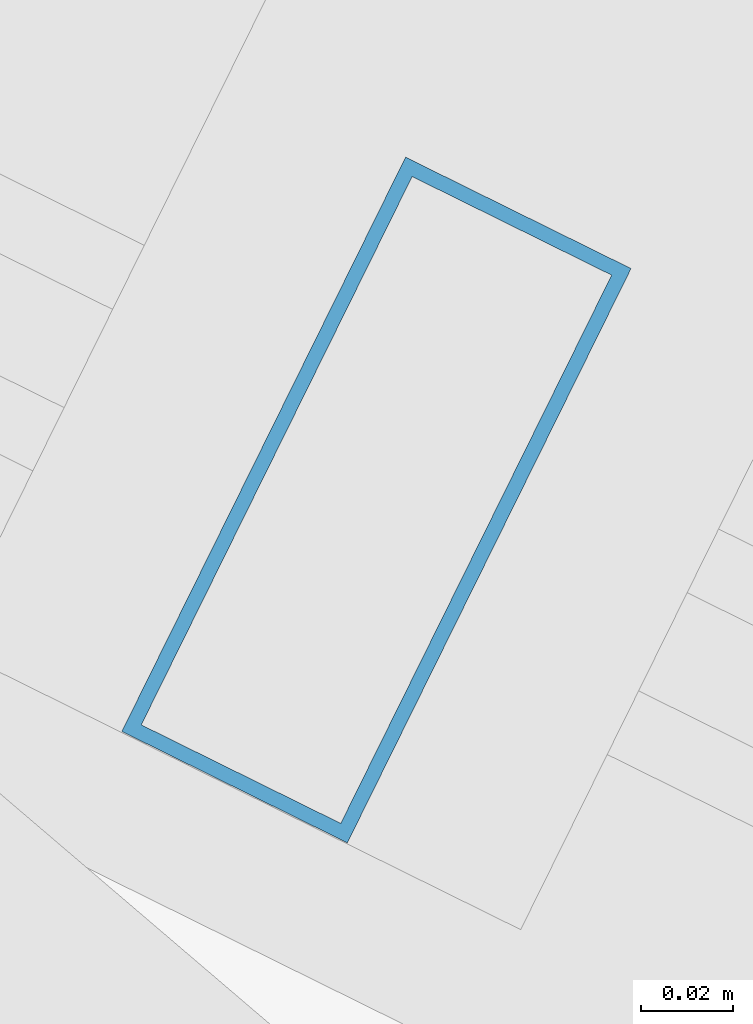
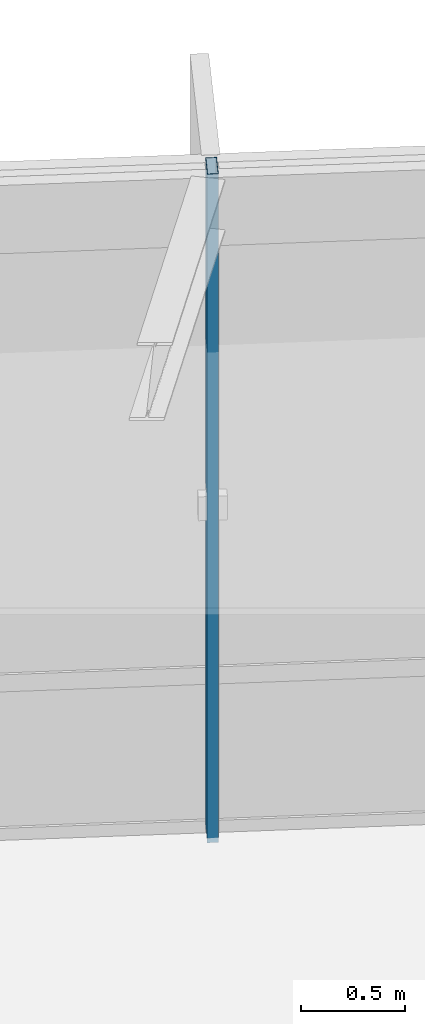
# One storey, part 76 of 138: 1 member, 1 element without a shape of its own.
"""IFC4 building model written with IfcOpenShell, lengths in metres."""

from ifc_helpers import new_model, si_unit, direction, frame, origin, origin_2d, place, context, subcontext, project, spatial, hollow_rectangle, extrude, material, material_profile, profile_set, type_object, element, aggregate, save


model = new_model("IFC4")

# Units and contexts
model_context = context("Model", 3, precision=1e-05, world=origin(), true_north=direction((0.0, 1.0)))
body_context = subcontext(model_context, "Body", "Model", "MODEL_VIEW")
ifc_project = project(units=[si_unit("LENGTHUNIT", "METRE"), si_unit("AREAUNIT", "SQUARE_METRE"), si_unit("VOLUMEUNIT", "CUBIC_METRE"), si_unit("PLANEANGLEUNIT", "RADIAN"), si_unit("MASSUNIT", "GRAM", prefix="KILO"), si_unit("THERMODYNAMICTEMPERATUREUNIT", "KELVIN"), si_unit("POWERUNIT", "WATT")], contexts=[model_context])

# Site, building, storey
site_placement = place(None, origin())
site = spatial("IfcSite", under=ifc_project, at=site_placement, CompositionType="ELEMENT")
building_placement = place(site_placement, origin())
building = spatial("IfcBuilding", under=site, at=building_placement, Name="Darbajah Civic Hall", CompositionType="ELEMENT")
storey_placement = place(building_placement, frame((0.0, 0.0, 9.60009765625)))
storey = spatial("IfcBuildingStorey", under=building, at=storey_placement, Name="L02", CompositionType="ELEMENT", Elevation=9.60009765625)

# Curtain wall, member
ifc_material_1 = material(Name="Anodised Bronze Aluminium and Low-E Glazing", Category="aluminium")
curtain_wall_type = type_object("IfcCurtainWallType", Name="Unitised Curtain Wall CW-20 12800x3900", PredefinedType="USERDEFINED", material=ifc_material_1)
curtain_wall_placement = place(storey_placement, origin())
curtain_wall = element("IfcCurtainWall", 1, at=curtain_wall_placement, inside=storey, type_object=curtain_wall_type, Name="L02 unitised curtain wall CW-V1O-L02-02", ObjectType="UNITISED CURTAIN WALL", PredefinedType="USERDEFINED")
ifc_material_2 = material(Name="Anodised Bronze Aluminium", Category="aluminium")
ifc_material_profile = material_profile(ifc_material_2, hollow_rectangle(XDim=0.054931640625, YDim=0.139892578125, WallThickness=0.003173828125, at=origin_2d()), Name="ALU MULLION 55x140")
ifc_profile_set = profile_set([ifc_material_profile], Name="Anodised Bronze Aluminium")
member_type = type_object("IfcMemberType", Name="ALU MULLION 55x140", PredefinedType="MULLION", material=ifc_profile_set)
member_placement = place(storey_placement, frame((121.814208984375, 111.955810546875, 0.0), z_axis=(0.0, 0.0, 1.0), x_axis=(-0.89656374724, 0.442914717678, 0.0)))
member = element("IfcMember", 2, at=member_placement, type_object=member_type, Name="CW-V1O-L02-02 mullion 3", PredefinedType="MULLION", context=body_context, shape_type="SweptSolid", body=[
    extrude(hollow_rectangle(XDim=0.054931640625, YDim=0.139892578125, WallThickness=0.003173828125, at=origin_2d()), origin(), (0.0, 0.0, 1.0), 3.919921875),
])
aggregate(curtain_wall, [member])

save(model, "model.ifc")
